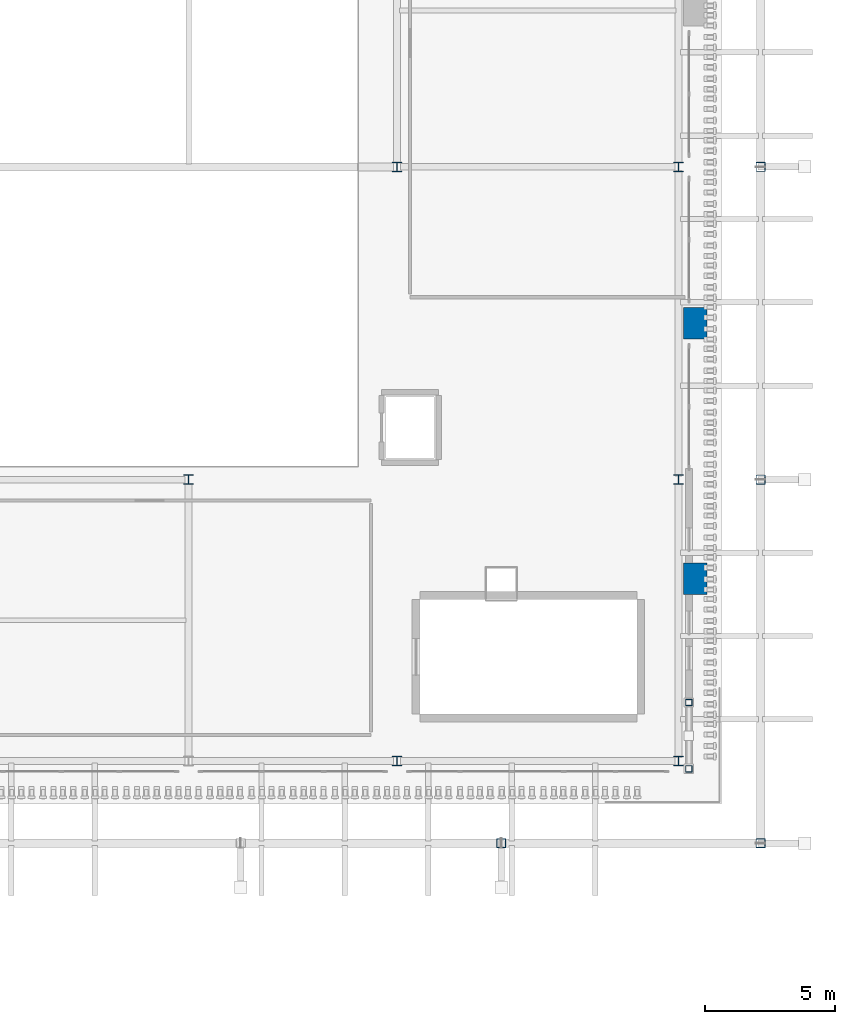
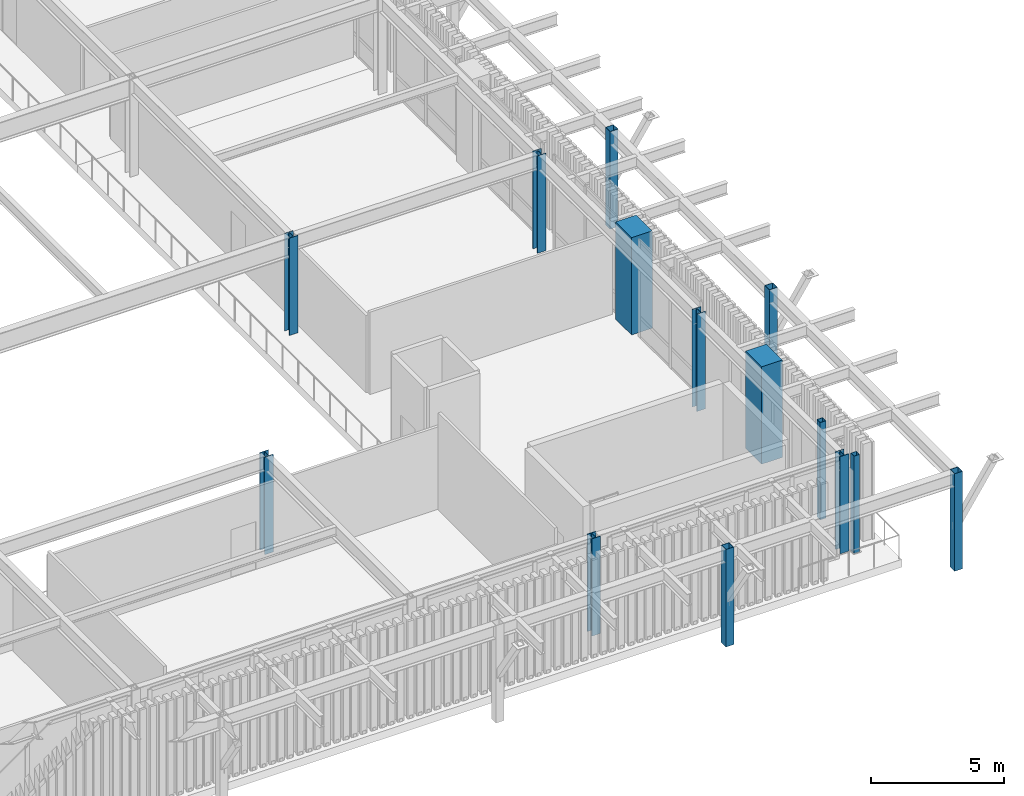
# One storey, part 5 of 126: 14 columns.
"""IFC4 building model written with IfcOpenShell, lengths in metres."""

from ifc_helpers import new_model, si_unit, derived_unit, direction, frame, origin, origin_2d, place, context, subcontext, project, spatial, rectangle, hollow_rectangle, i_section, extrude, material, material_profile, profile_set, type_object, element, save


model = new_model("IFC4")

# Units and contexts
model_context = context("Model", 3, precision=1e-05, world=origin(), true_north=direction((0.0, 1.0)))
body_context = subcontext(model_context, "Body", "Model", "MODEL_VIEW")
ifc_project = project(units=[si_unit("LENGTHUNIT", "METRE"), si_unit("AREAUNIT", "SQUARE_METRE"), si_unit("VOLUMEUNIT", "CUBIC_METRE"), si_unit("PLANEANGLEUNIT", "RADIAN"), si_unit("MASSUNIT", "GRAM", prefix="KILO"), derived_unit("THERMALTRANSMITTANCEUNIT", [(si_unit("MASSUNIT", "GRAM", prefix="KILO"), 1), (si_unit("TIMEUNIT", "SECOND"), -3), (si_unit("THERMODYNAMICTEMPERATUREUNIT", "KELVIN"), -1)])], contexts=[model_context])

# Site, building, storey
site_placement = place(None, origin())
site = spatial("IfcSite", under=ifc_project, at=site_placement, CompositionType="ELEMENT")
building_placement = place(site_placement, origin())
building = spatial("IfcBuilding", under=site, at=building_placement, Name="Valcora Ridge Arena", CompositionType="ELEMENT")
storey_placement = place(building_placement, frame((0.0, 0.0, 11.39990234375)))
storey = spatial("IfcBuildingStorey", under=building, at=storey_placement, Name="L02", CompositionType="ELEMENT", Elevation=11.39990234375)

# Columns
ifc_material_1 = material(Name="Bush-hammered Andean travertine architectural concrete C45/55", Category="masonry")
ifc_material_profile_1 = material_profile(ifc_material_1, rectangle(XDim=0.89990234375, YDim=1.199951171875, at=origin_2d()), Name="RC 900x1200")
ifc_profile_set_1 = profile_set([ifc_material_profile_1], Name="Bush-hammered Andean travertine architectural concrete C45/55")
column_type_1 = type_object("IfcColumnType", Name="TY-COLUMN-C-BUTT-1200", PredefinedType="PILASTER", material=ifc_profile_set_1)
for number, where, z_axis, x_axis, name in (
    (1, (187.449951171875, 12.199951171875, 0.0), (0.0, 0.0, 1.0), (1.0, 0.0, 0.0), "C-BUTT-1200 COL-C-BUTT-1200-0373"),
    (2, (187.449951171875, 22.0, 0.0), (0.0, 0.0, 1.0), (1.0, 0.0, 0.0), "C-BUTT-1200 COL-C-BUTT-1200-0376"),
):
    element("IfcColumn", number, at=place(storey_placement, frame(where, z_axis=z_axis, x_axis=x_axis)), inside=storey, type_object=column_type_1, Name=name, PredefinedType="PILASTER", context=body_context, shape_type="SweptSolid", body=[
        extrude(rectangle(XDim=0.89990234375, YDim=1.199951171875, at=origin_2d()), origin(), (0.0, 0.0, 1.0), 4.47998046875),
    ])
ifc_material_2 = material(Name="Steel ASTM A500 Grade C", Category="steel")
ifc_material_profile_2 = material_profile(ifc_material_2, hollow_rectangle(XDim=0.25, YDim=0.25, WallThickness=0.012451171875, at=origin_2d()), Name="HSS250X250X12")
ifc_profile_set_2 = profile_set([ifc_material_profile_2], Name="Steel ASTM A500 Grade C")
column_type_2 = type_object("IfcColumnType", Name="TY-COLUMN-C-CBF250", PredefinedType="COLUMN", material=ifc_profile_set_2)
for number, where, z_axis, x_axis, name in (
    (3, (187.199951171875, 4.89990234375, 0.0), (0.0, 0.0, 1.0), (1.0, 0.0, 0.0), "C-CBF250 COL-CBF-C-CBF250-0003"),
    (4, (187.199951171875, 7.449951171875, 0.0), (0.0, 0.0, 1.0), (1.0, 0.0, 0.0), "C-CBF250 COL-CBF-C-CBF250-0006"),
):
    element("IfcColumn", number, at=place(storey_placement, frame(where, z_axis=z_axis, x_axis=x_axis)), inside=storey, type_object=column_type_2, Name=name, PredefinedType="COLUMN", context=body_context, shape_type="SweptSolid", body=[
        extrude(hollow_rectangle(XDim=0.25, YDim=0.25, WallThickness=0.012451171875, at=origin_2d()), origin(), (0.0, 0.0, 1.0), 4.47998046875),
    ])
ifc_material_profile_3 = material_profile(ifc_material_2, hollow_rectangle(XDim=0.35009765625, YDim=0.35009765625, WallThickness=0.01611328125, at=origin_2d()), Name="HSS350X350X16")
ifc_profile_set_3 = profile_set([ifc_material_profile_3], Name="Steel ASTM A500 Grade C")
column_type_3 = type_object("IfcColumnType", Name="TY-COLUMN-C-COL350", PredefinedType="COLUMN", material=ifc_profile_set_3)
for number, where, z_axis, x_axis, name in (
    (5, (189.949951171875, 2.050048828125, 0.0), (0.0, 0.0, 1.0), (1.0, 0.0, 0.0), "C-COL350 COL-C-COL350-0024"),
    (6, (189.949951171875, 16.0, 0.0), (0.0, 0.0, 1.0), (1.0, 0.0, 0.0), "C-COL350 COL-C-COL350-0027"),
    (7, (189.949951171875, 28.0, 0.0), (0.0, 0.0, 1.0), (1.0, 0.0, 0.0), "C-COL350 COL-C-COL350-0030"),
    (8, (180.0, 2.050048828125, 0.0), (0.0, 0.0, 1.0), (1.0, 0.0, 0.0), "C-COL350 COL-C-COL350-0054"),
):
    element("IfcColumn", number, at=place(storey_placement, frame(where, z_axis=z_axis, x_axis=x_axis)), inside=storey, type_object=column_type_3, Name=name, PredefinedType="COLUMN", context=body_context, shape_type="SweptSolid", body=[
        extrude(hollow_rectangle(XDim=0.35009765625, YDim=0.35009765625, WallThickness=0.01611328125, at=origin_2d()), origin(), (0.0, 0.0, 1.0), 4.47998046875),
    ])
ifc_material_3 = material(Name="Steel ASTM A572 Grade 50", Category="steel")
ifc_material_profile_4 = material_profile(ifc_material_3, i_section(OverallWidth=0.3740234375, OverallDepth=0.373046875, WebThickness=0.016357421875, FlangeThickness=0.026123046875, FilletRadius=0.01806640625, at=origin_2d()), Name="W14X132")
ifc_profile_set_4 = profile_set([ifc_material_profile_4], Name="Steel ASTM A572 Grade 50")
column_type_4 = type_object("IfcColumnType", Name="TY-COLUMN-C-STL14B", PredefinedType="COLUMN", material=ifc_profile_set_4)
for number, where, z_axis, x_axis, name in (
    (9, (168.0, 16.0, 0.0), (0.0, 0.0, 1.0), (1.0, 0.0, 0.0), "C-STL14B COL-C-STL14B-0040"),
    (10, (176.0, 5.199951171875, 0.0), (0.0, 0.0, 1.0), (1.0, 0.0, 0.0), "C-STL14B COL-C-STL14B-0046"),
    (11, (176.0, 28.0, 0.0), (0.0, 0.0, 1.0), (1.0, 0.0, 0.0), "C-STL14B COL-C-STL14B-0048"),
    (12, (186.800048828125, 5.199951171875, 0.0), (0.0, 0.0, 1.0), (1.0, 0.0, 0.0), "C-STL14B COL-C-STL14B-0058"),
    (13, (186.800048828125, 16.0, 0.0), (0.0, 0.0, 1.0), (1.0, 0.0, 0.0), "C-STL14B COL-C-STL14B-0060"),
    (14, (186.800048828125, 28.0, 0.0), (0.0, 0.0, 1.0), (1.0, 0.0, 0.0), "C-STL14B COL-C-STL14B-0062"),
):
    element("IfcColumn", number, at=place(storey_placement, frame(where, z_axis=z_axis, x_axis=x_axis)), inside=storey, type_object=column_type_4, Name=name, PredefinedType="COLUMN", context=body_context, shape_type="SweptSolid", body=[
        extrude(i_section(OverallWidth=0.3740234375, OverallDepth=0.373046875, WebThickness=0.016357421875, FlangeThickness=0.026123046875, FilletRadius=0.01806640625, at=origin_2d()), origin(), (0.0, 0.0, 1.0), 4.47998046875),
    ])

save(model, "model.ifc")
